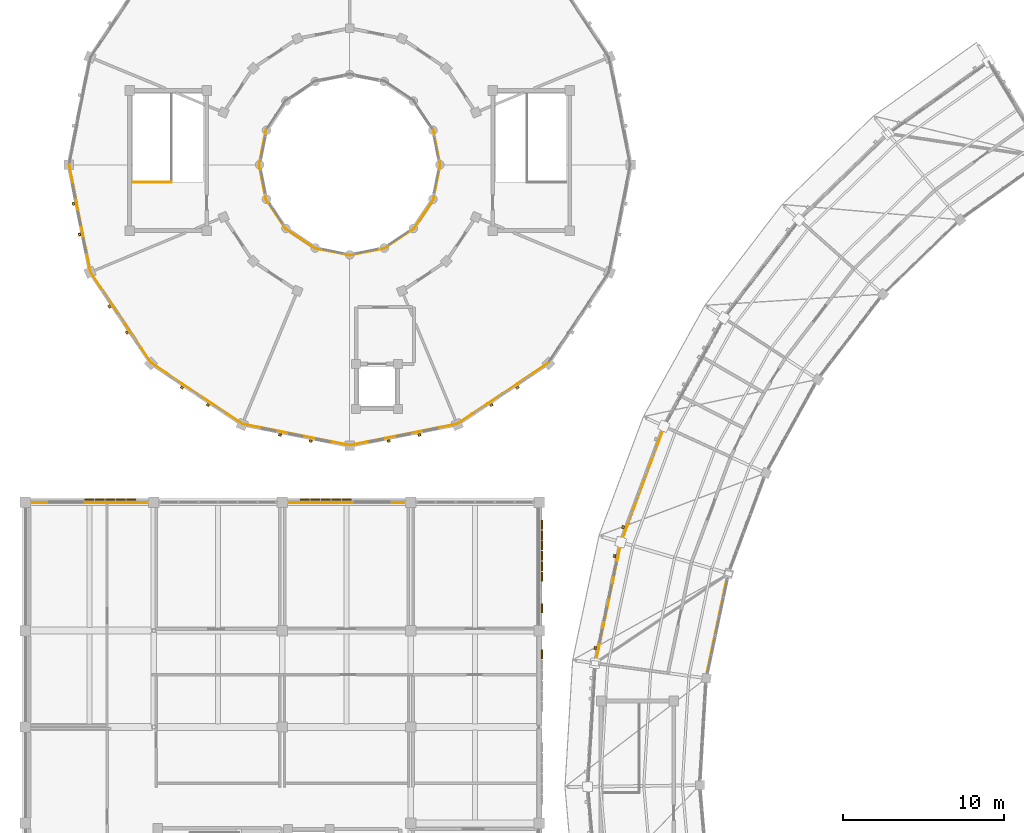
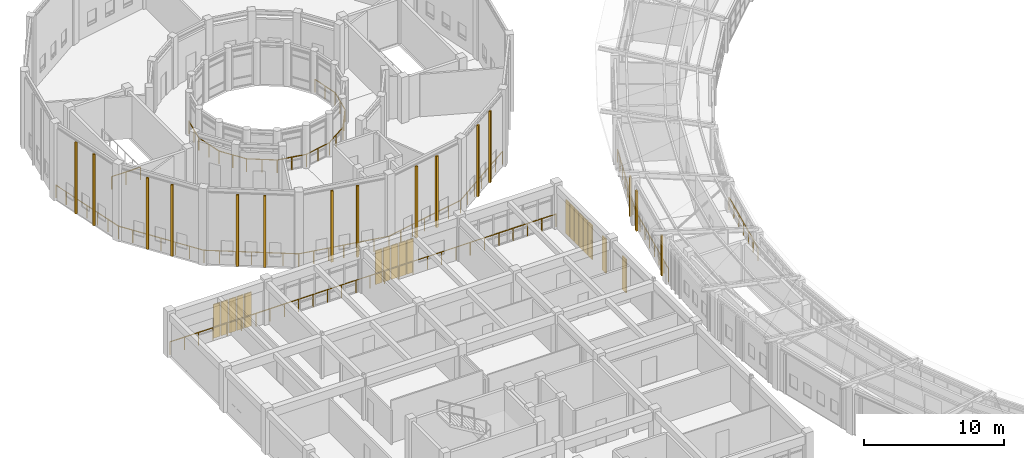
# One storey, part 142 of 149: 21 railings, 18 shading devices, 15 coverings.
"""IFC4 building model written with IfcOpenShell, lengths in metres."""

import ifcopenshell
import ifcopenshell.guid

model = None  # the IFC model being written
_history = None  # IfcOwnerHistory: only IFC2X3 demands one
_inside = {}  # id of a spatial element -> (the spatial element, [elements in it])
_under = {}  # id of a project, library or spatial element -> (it, [spatial elements below it])
_declared = {}  # id of a project -> (the project, [libraries it declares])
_typed = {}  # id of a type object -> (the type object, [elements of that type])
_made_of = {}  # id of a material, layer set ... -> (it, [elements and type objects made of it])


def new_model(schema):
    """Start an empty IFC model of exactly this schema.

    Asked for "IFC4X3", IfcOpenShell would pick the latest addendum, in which some entities
    have other attributes; the version numbers below select the first issue.
    IFC2X3 requires an IfcOwnerHistory on every rooted entity: one is made here for all.
    """
    global model, _history
    if schema == "IFC4X3":
        model = ifcopenshell.file(schema_version=(4, 3, 0, 0))
    else:
        model = ifcopenshell.file(schema=schema)
    _inside.clear()
    _under.clear()
    _declared.clear()
    _typed.clear()
    _made_of.clear()
    _history = None
    if model.schema == "IFC2X3":
        org = make("IfcOrganization", Name="unknown")
        user = make(
            "IfcPersonAndOrganization",
            ThePerson=make("IfcPerson", FamilyName="unknown"),
            TheOrganization=org,
        )
        app = make(
            "IfcApplication",
            ApplicationDeveloper=org,
            Version="unknown",
            ApplicationFullName="unknown",
            ApplicationIdentifier="unknown",
        )
        _history = make(
            "IfcOwnerHistory",
            OwningUser=user,
            OwningApplication=app,
            ChangeAction="ADDED",
            CreationDate=0,
        )
    return model


def make(cls, **values):
    """One entity of the class cls with the attributes given. An attribute that is None is left unset."""
    return model.create_entity(
        cls, **{name: value for name, value in values.items() if value is not None}
    )


def rooted(cls, **values):
    """An entity with a GlobalId (a new one), such as an element, a storey or a relation."""
    return make(cls, GlobalId=ifcopenshell.guid.new(), OwnerHistory=_history, **values)


def si_unit(unit_type, name, prefix=None):
    """IfcSIUnit, for example si_unit("LENGTHUNIT", "METRE", prefix="MILLI")."""
    return make("IfcSIUnit", UnitType=unit_type, Prefix=prefix, Name=name)


def assignment(units):
    """IfcUnitAssignment: the units of a project."""
    return None if units is None else make("IfcUnitAssignment", Units=units)


def point(xyz):
    """IfcCartesianPoint."""
    return None if xyz is None else make("IfcCartesianPoint", Coordinates=xyz)


def direction(xyz):
    """IfcDirection."""
    return None if xyz is None else make("IfcDirection", DirectionRatios=xyz)


def frame(location, z_axis=None, x_axis=None):
    """IfcAxis2Placement3D, a coordinate frame: its origin and axes. An axis left out is left unset."""
    return make(
        "IfcAxis2Placement3D",
        Location=point(location),
        Axis=direction(z_axis),
        RefDirection=direction(x_axis),
    )


def frame_2d(location, x_axis=None):
    """IfcAxis2Placement2D, a coordinate frame in the plane: its origin and x axis."""
    return make(
        "IfcAxis2Placement2D", Location=point(location), RefDirection=direction(x_axis)
    )


def origin():
    """The frame at (0, 0, 0) with its axes left unset."""
    return frame((0.0, 0.0, 0.0))


def origin_2d():
    """The frame at (0, 0) in the plane with its x axis left unset."""
    return frame_2d((0.0, 0.0))


def place(relative_to, where):
    """IfcLocalPlacement: puts the frame where relative to a parent placement (None: the world)."""
    return make(
        "IfcLocalPlacement", PlacementRelTo=relative_to, RelativePlacement=where
    )


def context(
    kind, dimensions, precision=None, world=None, true_north=None, identifier=None
):
    """IfcGeometricRepresentationContext, for example the 3D "Model" context."""
    return make(
        "IfcGeometricRepresentationContext",
        ContextIdentifier=identifier,
        ContextType=kind,
        CoordinateSpaceDimension=dimensions,
        Precision=precision,
        WorldCoordinateSystem=world,
        TrueNorth=true_north,
    )


def subcontext(parent, identifier, kind, view, scale=None):
    """IfcGeometricRepresentationSubContext, for example "Body" below "Model"."""
    return make(
        "IfcGeometricRepresentationSubContext",
        ContextIdentifier=identifier,
        ContextType=kind,
        ParentContext=parent,
        TargetScale=scale,
        TargetView=view,
    )


def project(units=None, contexts=None):
    """IfcProject with its units and contexts."""
    return rooted(
        "IfcProject",
        Name="project",
        RepresentationContexts=contexts,
        UnitsInContext=assignment(units),
    )


def spatial(cls, under=None, at=None, **own):
    """A site, building, storey or space (cls), placed at a placement, below another one or the project."""
    s = rooted(cls, ObjectPlacement=at, **own)
    if under is not None:
        _under.setdefault(under.id(), (under, []))[1].append(s)
    return s


def profile(cls, at=None, kind="AREA", **sizes):
    """A parametric profile (cls). Its sizes go by their IFC names, for example OverallWidth=200.0."""
    return make(cls, ProfileType=kind, Position=at, **sizes)


def rectangle(**sizes):
    """IfcRectangleProfileDef."""
    return profile("IfcRectangleProfileDef", **sizes)


def circle(**sizes):
    """IfcCircleProfileDef."""
    return profile("IfcCircleProfileDef", **sizes)


def extrude(swept, where, along, depth):
    """IfcExtrudedAreaSolid: the profile swept, set in the frame where, extruded along a direction by depth."""
    return make(
        "IfcExtrudedAreaSolid",
        SweptArea=swept,
        Position=where,
        ExtrudedDirection=direction(along),
        Depth=depth,
    )


def shape(context_of_items, identifier, shape_type, items):
    """IfcShapeRepresentation: the items that make up one representation, for example the "Body"."""
    return make(
        "IfcShapeRepresentation",
        ContextOfItems=context_of_items,
        RepresentationIdentifier=identifier,
        RepresentationType=shape_type,
        Items=items,
    )


def material(Name=None, Category=None):
    """IfcMaterial."""
    return make("IfcMaterial", Name=Name, Category=Category)


def layer(
    of_material, thickness, ventilated=None, Name=None, Category=None, Priority=None
):
    """IfcMaterialLayer: one layer of a wall or slab, of a material (None: an air gap)."""
    return make(
        "IfcMaterialLayer",
        Material=of_material,
        LayerThickness=thickness,
        IsVentilated=ventilated,
        Name=Name,
        Category=Category,
        Priority=Priority,
    )


def layer_set(layers, Name=None):
    """IfcMaterialLayerSet."""
    return make("IfcMaterialLayerSet", MaterialLayers=layers, LayerSetName=Name)


def made_of(thing, what):
    """Note that an element or type object is made of a material, layer set ...; save() writes the relation."""
    if what is not None:
        _made_of.setdefault(what.id(), (what, []))[1].append(thing)
    return thing


def type_object(cls, material=None, **own):
    """A type object (cls), such as IfcWallType, which elements share."""
    return made_of(rooted(cls, **own), material)


def element(
    cls,
    number,
    at=None,
    inside=None,
    cuts=None,
    type_object=None,
    material=None,
    context=None,
    identifier="Body",
    shape_type=None,
    held_by="IfcProductDefinitionShape",
    body=None,
    shapes=None,
    **own,
):
    """One element of the class cls, such as IfcWall. Its Tag is "e" and its number.

    at: its placement. inside: the storey or other place that contains it. cuts: it is an
    opening in that element (IfcRelVoidsElement). A single representation is given by context,
    identifier, shape_type and body (its items); several are given by shapes. held_by: the class
    of the entity that holds the representations. save() writes the other relations.
    """
    e = rooted(cls, Tag="e%d" % number, ObjectPlacement=at, **own)
    if body is not None:
        shapes = [shape(context, identifier, shape_type, body)]
    if shapes is not None:
        e.Representation = make(held_by, Representations=shapes)
    if inside is not None:
        _inside.setdefault(inside.id(), (inside, []))[1].append(e)
    if cuts is not None:
        rooted(
            "IfcRelVoidsElement", RelatingBuildingElement=cuts, RelatedOpeningElement=e
        )
    if type_object is not None:
        _typed.setdefault(type_object.id(), (type_object, []))[1].append(e)
    return made_of(e, material)


def aggregate(whole, parts):
    """IfcRelAggregates: a whole, such as a stair, and the parts it consists of."""
    return rooted("IfcRelAggregates", RelatingObject=whole, RelatedObjects=parts)


def save(model, path):
    """Write the relations noted so far, then the file.

    IfcRelAggregates (storeys below a building ...), IfcRelContainedInSpatialStructure (elements
    in a storey), IfcRelDefinesByType, IfcRelAssociatesMaterial and IfcRelDeclares: one each for
    every whole, place, type object, material and project.
    """
    for whole, parts in _under.values():
        aggregate(whole, parts)
    for where, things in _inside.values():
        rooted(
            "IfcRelContainedInSpatialStructure",
            RelatedElements=things,
            RelatingStructure=where,
        )
    for kind, things in _typed.values():
        rooted("IfcRelDefinesByType", RelatedObjects=things, RelatingType=kind)
    for what, things in _made_of.values():
        rooted("IfcRelAssociatesMaterial", RelatedObjects=things, RelatingMaterial=what)
    for by, libraries in _declared.values():
        rooted("IfcRelDeclares", RelatingContext=by, RelatedDefinitions=libraries)
    model.write(path)


model = new_model("IFC4")

# Units and contexts
model_context = context("Model", 3, precision=1e-05, world=origin(), true_north=direction((0.0, 1.0)))
body_context = subcontext(model_context, "Body", "Model", "MODEL_VIEW")
ifc_project = project(units=[si_unit("LENGTHUNIT", "METRE"), si_unit("AREAUNIT", "SQUARE_METRE"), si_unit("VOLUMEUNIT", "CUBIC_METRE"), si_unit("PLANEANGLEUNIT", "RADIAN"), si_unit("MASSUNIT", "GRAM", prefix="KILO")], contexts=[model_context])

# Site, building, storey
site_placement = place(None, origin())
site = spatial("IfcSite", under=ifc_project, at=site_placement, CompositionType="ELEMENT")
building_placement = place(site_placement, origin())
building = spatial("IfcBuilding", under=site, at=building_placement, Name="Celadon Cloister-Ring School", CompositionType="ELEMENT")
storey_placement = place(building_placement, frame((0.0, 0.0, 12.5)))
storey = spatial("IfcBuildingStorey", under=building, at=storey_placement, Name="L03", CompositionType="ELEMENT", Elevation=12.5)

# Coverings
ifc_material_1 = material(Name="Perforated terracotta clay brick masonry", Category="masonry")
ifc_layer = layer(ifc_material_1, 0.139892578125)
ifc_layer_set = layer_set([ifc_layer], Name="Perforated terracotta clay brick masonry")
covering_type = type_object("IfcCoveringType", Name="CV-SC1", PredefinedType="CLADDING", material=ifc_layer_set)
for number, where, z_axis, x_axis, name in (
    (1, (37.222900390625, 74.43798828125, -0.00048828125), (0.0, 0.0, 1.0), (0.349209954135, 0.937044506912, 0.0), "Brick Screen Rib 0345"),
    (2, (35.488037109375, 66.9150390625, -0.00048828125), (0.0, 0.0, 1.0), (0.207262913083, 0.978285277851, 0.0), "Brick Screen Rib 0347"),
    (3, (36.699951171875, 72.637939453125, -0.00048828125), (0.0, 0.0, 1.0), (0.207262913083, 0.978285277851, 0.0), "Brick Screen Rib 0348"),
):
    element("IfcCovering", number, at=place(storey_placement, frame(where, z_axis=z_axis, x_axis=x_axis)), inside=storey, type_object=covering_type, Name=name, PredefinedType="CLADDING", context=body_context, shape_type="SweptSolid", body=[
        extrude(rectangle(XDim=0.179931640625, YDim=0.139892578125, at=origin_2d()), origin(), (0.0, 0.0, 1.0), 3.51708984375),
    ])
for number, where, z_axis, x_axis, name in (
    (4, (3.383056640625, 92.660888671875, 0.0), (0.0, 0.0, 1.0), (-0.195141675546, 0.980775064153, 0.0), "Brick Screen Rib 0552"),
    (5, (3.001953125, 94.572998046875, 0.0), (0.0, 0.0, 1.0), (-0.195141675546, 0.980775064153, 0.0), "Brick Screen Rib 0553"),
    (6, (6.323974609375, 86.555908203125, 0.0), (0.0, 0.0, 1.0), (-0.55567181205, 0.831401730389, 0.0), "Brick Screen Rib 0554"),
    (7, (5.239990234375, 88.177001953125, 0.0), (0.0, 0.0, 1.0), (-0.55567181205, 0.831401730389, 0.0), "Brick Screen Rib 0555"),
    (8, (11.376953125, 82.0400390625, 0.0), (0.0, 0.0, 1.0), (-0.831401730389, 0.55567181205, 0.0), "Brick Screen Rib 0556"),
    (9, (9.756103515625, 83.1240234375, 0.0), (0.0, 0.0, 1.0), (-0.831401730389, 0.55567181205, 0.0), "Brick Screen Rib 0557"),
    (10, (17.77294921875, 79.802001953125, 0.0), (0.0, 0.0, 1.0), (-0.980775064153, 0.195141675546, 0.0), "Brick Screen Rib 0558"),
    (11, (15.861083984375, 80.18310546875, 0.0), (0.0, 0.0, 1.0), (-0.980775064153, 0.195141675546, 0.0), "Brick Screen Rib 0559"),
    (12, (24.5390625, 80.18310546875, 0.0), (0.0, 0.0, 1.0), (-0.980775064153, -0.195141675546, 0.0), "Brick Screen Rib 0560"),
    (13, (22.626953125, 79.802001953125, 0.0), (0.0, 0.0, 1.0), (-0.980775064153, -0.195141675546, 0.0), "Brick Screen Rib 0561"),
    (14, (30.64404296875, 83.1240234375, 0.0), (0.0, 0.0, 1.0), (-0.831401730389, -0.55567181205, 0.0), "Brick Screen Rib 0562"),
    (15, (29.02294921875, 82.0400390625, 0.0), (0.0, 0.0, 1.0), (-0.831401730389, -0.55567181205, 0.0), "Brick Screen Rib 0563"),
):
    element("IfcCovering", number, at=place(storey_placement, frame(where, z_axis=z_axis, x_axis=x_axis)), inside=storey, type_object=covering_type, Name=name, PredefinedType="CLADDING", context=body_context, shape_type="SweptSolid", body=[
        extrude(rectangle(XDim=0.179931640625, YDim=0.139892578125, at=origin_2d()), origin(), (0.0, 0.0, 1.0), 6.22998046875),
    ])

# Railings
ifc_material_2 = material(Name="Structural steel S355JR", Category="steel")
railing_type_1 = type_object("IfcRailingType", Name="RL-BL1", PredefinedType="BALUSTRADE", material=ifc_material_2)
railing_1_placement = place(storey_placement, frame((39.7919921875, 80.708984375, 0.0)))
element("IfcRailing", 16, at=railing_1_placement, inside=storey, type_object=railing_type_1, Name="Terrace Balustrade 0149", PredefinedType="BALUSTRADE", context=body_context, shape_type="SweptSolid", body=[
    extrude(circle(Radius=0.02392578125, at=origin_2d()), frame((0.0, 0.0, 1.09619140625), z_axis=(-0.349315433681, -0.93700519091, 0.0), x_axis=(0.93700519091, -0.349315433681, 0.0)), (0.0, 0.0, 1.0), 7.69775390625),
    extrude(circle(Radius=0.02099609375, at=origin_2d()), origin(), (0.0, 0.0, 1.0), 1.072021484375),
    extrude(circle(Radius=0.02099609375, at=origin_2d()), frame((-0.384033203125, -1.030517578125, 0.0)), (0.0, 0.0, 1.0), 1.072021484375),
    extrude(circle(Radius=0.02099609375, at=origin_2d()), frame((-0.768310546875, -2.060791015625, 0.0)), (0.0, 0.0, 1.0), 1.072021484375),
    extrude(circle(Radius=0.02099609375, at=origin_2d()), frame((-1.15234375, -3.09130859375, 0.0)), (0.0, 0.0, 1.0), 1.072021484375),
    extrude(circle(Radius=0.02099609375, at=origin_2d()), frame((-1.53662109375, -4.12158203125, 0.0)), (0.0, 0.0, 1.0), 1.072021484375),
    extrude(circle(Radius=0.02099609375, at=origin_2d()), frame((-1.920654296875, -5.152099609375, 0.0)), (0.0, 0.0, 1.0), 1.072021484375),
    extrude(circle(Radius=0.02099609375, at=origin_2d()), frame((-2.304931640625, -6.182373046875, 0.0)), (0.0, 0.0, 1.0), 1.072021484375),
    extrude(circle(Radius=0.02099609375, at=origin_2d()), frame((-2.68896484375, -7.212890625, 0.0)), (0.0, 0.0, 1.0), 1.072021484375),
])
railing_2_placement = place(storey_placement, frame((37.10302734375, 73.49609375, 0.0)))
element("IfcRailing", 17, at=railing_2_placement, inside=storey, type_object=railing_type_1, Name="Terrace Balustrade 0150", PredefinedType="BALUSTRADE", context=body_context, shape_type="SweptSolid", body=[
    extrude(circle(Radius=0.02392578125, at=origin_2d()), frame((0.0, 0.0, 1.09619140625), z_axis=(-0.207095796357, -0.978320668866, 0.0), x_axis=(0.978320668866, -0.207095796357, 0.0)), (0.0, 0.0, 1.0), 7.69677734375),
    extrude(circle(Radius=0.02099609375, at=origin_2d()), origin(), (0.0, 0.0, 1.0), 1.072021484375),
    extrude(circle(Radius=0.02099609375, at=origin_2d()), frame((-0.227783203125, -1.07568359375, 0.0)), (0.0, 0.0, 1.0), 1.072021484375),
    extrude(circle(Radius=0.02099609375, at=origin_2d()), frame((-0.455322265625, -2.1513671875, 0.0)), (0.0, 0.0, 1.0), 1.072021484375),
    extrude(circle(Radius=0.02099609375, at=origin_2d()), frame((-0.68310546875, -3.22705078125, 0.0)), (0.0, 0.0, 1.0), 1.072021484375),
    extrude(circle(Radius=0.02099609375, at=origin_2d()), frame((-0.910888671875, -4.302978515625, 0.0)), (0.0, 0.0, 1.0), 1.072021484375),
    extrude(circle(Radius=0.02099609375, at=origin_2d()), frame((-1.138671875, -5.378662109375, 0.0)), (0.0, 0.0, 1.0), 1.072021484375),
    extrude(circle(Radius=0.02099609375, at=origin_2d()), frame((-1.3662109375, -6.454345703125, 0.0)), (0.0, 0.0, 1.0), 1.072021484375),
    extrude(circle(Radius=0.02099609375, at=origin_2d()), frame((-1.593994140625, -7.530029296875, 0.0)), (0.0, 0.0, 1.0), 1.072021484375),
])
railing_3_placement = place(storey_placement, frame((43.748046875, 71.56591796875, 0.0)))
element("IfcRailing", 18, at=railing_3_placement, inside=storey, type_object=railing_type_1, Name="Terrace Balustrade 0185", PredefinedType="BALUSTRADE", context=body_context, shape_type="SweptSolid", body=[
    extrude(circle(Radius=0.02392578125, at=origin_2d()), frame((0.0, 0.0, 1.09619140625), z_axis=(-0.206989572624, -0.978343148811, 0.0), x_axis=(0.978343148811, -0.206989572624, 0.0)), (0.0, 0.0, 1.0), 6.67236328125),
    extrude(circle(Radius=0.02099609375, at=origin_2d()), origin(), (0.0, 0.0, 1.0), 1.072021484375),
    extrude(circle(Radius=0.02099609375, at=origin_2d()), frame((-0.230224609375, -1.087890625, 0.0)), (0.0, 0.0, 1.0), 1.072021484375),
    extrude(circle(Radius=0.02099609375, at=origin_2d()), frame((-0.46044921875, -2.176025390625, 0.0)), (0.0, 0.0, 1.0), 1.072021484375),
    extrude(circle(Radius=0.02099609375, at=origin_2d()), frame((-0.6904296875, -3.263916015625, 0.0)), (0.0, 0.0, 1.0), 1.072021484375),
    extrude(circle(Radius=0.02099609375, at=origin_2d()), frame((-0.920654296875, -4.351806640625, 0.0)), (0.0, 0.0, 1.0), 1.072021484375),
    extrude(circle(Radius=0.02099609375, at=origin_2d()), frame((-1.15087890625, -5.43994140625, 0.0)), (0.0, 0.0, 1.0), 1.072021484375),
    extrude(circle(Radius=0.02099609375, at=origin_2d()), frame((-1.381103515625, -6.52783203125, 0.0)), (0.0, 0.0, 1.0), 1.072021484375),
])
railing_4_placement = place(storey_placement, frame((2.739990234375, 97.0, 0.0)))
element("IfcRailing", 19, at=railing_4_placement, inside=storey, type_object=railing_type_1, Name="Terrace Balustrade 0289", PredefinedType="BALUSTRADE", context=body_context, shape_type="SweptSolid", body=[
    extrude(circle(Radius=0.02392578125, at=origin_2d()), frame((0.0, 0.0, 1.09619140625), z_axis=(0.19508919883, -0.980785503818, 0.0), x_axis=(0.980785503818, 0.19508919883, 0.0)), (0.0, 0.0, 1.0), 6.812744140625),
    extrude(circle(Radius=0.02099609375, at=origin_2d()), origin(), (0.0, 0.0, 1.0), 1.072021484375),
    extrude(circle(Radius=0.02099609375, at=origin_2d()), frame((0.221435546875, -1.11376953125, 0.0)), (0.0, 0.0, 1.0), 1.072021484375),
    extrude(circle(Radius=0.02099609375, at=origin_2d()), frame((0.443115234375, -2.227294921875, 0.0)), (0.0, 0.0, 1.0), 1.072021484375),
    extrude(circle(Radius=0.02099609375, at=origin_2d()), frame((0.66455078125, -3.3408203125, 0.0)), (0.0, 0.0, 1.0), 1.072021484375),
    extrude(circle(Radius=0.02099609375, at=origin_2d()), frame((0.885986328125, -4.45458984375, 0.0)), (0.0, 0.0, 1.0), 1.072021484375),
    extrude(circle(Radius=0.02099609375, at=origin_2d()), frame((1.107666015625, -5.568359375, 0.0)), (0.0, 0.0, 1.0), 1.072021484375),
    extrude(circle(Radius=0.02099609375, at=origin_2d()), frame((1.3291015625, -6.681884765625, 0.0)), (0.0, 0.0, 1.0), 1.072021484375),
])
railing_5_placement = place(storey_placement, frame((4.069091796875, 90.318115234375, 0.0)))
element("IfcRailing", 20, at=railing_5_placement, inside=storey, type_object=railing_type_1, Name="Terrace Balustrade 0290", PredefinedType="BALUSTRADE", context=body_context, shape_type="SweptSolid", body=[
    extrude(circle(Radius=0.02392578125, at=origin_2d()), frame((0.0, 0.0, 1.09619140625), z_axis=(0.555601342036, -0.831448825081, 0.0), x_axis=(0.831448825081, 0.555601342036, 0.0)), (0.0, 0.0, 1.0), 6.812255859375),
    extrude(circle(Radius=0.02099609375, at=origin_2d()), origin(), (0.0, 0.0, 1.0), 1.072021484375),
    extrude(circle(Radius=0.02099609375, at=origin_2d()), frame((0.630859375, -0.944091796875, 0.0)), (0.0, 0.0, 1.0), 1.072021484375),
    extrude(circle(Radius=0.02099609375, at=origin_2d()), frame((1.26171875, -1.887939453125, 0.0)), (0.0, 0.0, 1.0), 1.072021484375),
    extrude(circle(Radius=0.02099609375, at=origin_2d()), frame((1.892578125, -2.83203125, 0.0)), (0.0, 0.0, 1.0), 1.072021484375),
    extrude(circle(Radius=0.02099609375, at=origin_2d()), frame((2.523193359375, -3.776123046875, 0.0)), (0.0, 0.0, 1.0), 1.072021484375),
    extrude(circle(Radius=0.02099609375, at=origin_2d()), frame((3.154052734375, -4.719970703125, 0.0)), (0.0, 0.0, 1.0), 1.072021484375),
    extrude(circle(Radius=0.02099609375, at=origin_2d()), frame((3.784912109375, -5.6640625, 0.0)), (0.0, 0.0, 1.0), 1.072021484375),
])
railing_6_placement = place(storey_placement, frame((7.85400390625, 84.654052734375, 0.0)))
element("IfcRailing", 21, at=railing_6_placement, inside=storey, type_object=railing_type_1, Name="Terrace Balustrade 0291", PredefinedType="BALUSTRADE", context=body_context, shape_type="SweptSolid", body=[
    extrude(circle(Radius=0.02392578125, at=origin_2d()), frame((0.0, 0.0, 1.09619140625), z_axis=(0.831432269387, -0.555626116577, 0.0), x_axis=(0.555626116577, 0.831432269387, 0.0)), (0.0, 0.0, 1.0), 6.8125),
    extrude(circle(Radius=0.02099609375, at=origin_2d()), origin(), (0.0, 0.0, 1.0), 1.072021484375),
    extrude(circle(Radius=0.02099609375, at=origin_2d()), frame((0.944091796875, -0.630859375, 0.0)), (0.0, 0.0, 1.0), 1.072021484375),
    extrude(circle(Radius=0.02099609375, at=origin_2d()), frame((1.887939453125, -1.26171875, 0.0)), (0.0, 0.0, 1.0), 1.072021484375),
    extrude(circle(Radius=0.02099609375, at=origin_2d()), frame((2.83203125, -1.892578125, 0.0)), (0.0, 0.0, 1.0), 1.072021484375),
    extrude(circle(Radius=0.02099609375, at=origin_2d()), frame((3.776123046875, -2.5234375, 0.0)), (0.0, 0.0, 1.0), 1.072021484375),
    extrude(circle(Radius=0.02099609375, at=origin_2d()), frame((4.719970703125, -3.154296875, 0.0)), (0.0, 0.0, 1.0), 1.072021484375),
    extrude(circle(Radius=0.02099609375, at=origin_2d()), frame((5.6640625, -3.78515625, 0.0)), (0.0, 0.0, 1.0), 1.072021484375),
])
railing_7_placement = place(storey_placement, frame((13.51806640625, 80.868896484375, 0.0)))
element("IfcRailing", 22, at=railing_7_placement, inside=storey, type_object=railing_type_1, Name="Terrace Balustrade 0292", PredefinedType="BALUSTRADE", context=body_context, shape_type="SweptSolid", body=[
    extrude(circle(Radius=0.02392578125, at=origin_2d()), frame((0.0, 0.0, 1.09619140625), z_axis=(0.980792360074, -0.19505472673, 0.0), x_axis=(0.19505472673, 0.980792360074, 0.0)), (0.0, 0.0, 1.0), 6.812744140625),
    extrude(circle(Radius=0.02099609375, at=origin_2d()), origin(), (0.0, 0.0, 1.0), 1.072021484375),
    extrude(circle(Radius=0.02099609375, at=origin_2d()), frame((1.11376953125, -0.221435546875, 0.0)), (0.0, 0.0, 1.0), 1.072021484375),
    extrude(circle(Radius=0.02099609375, at=origin_2d()), frame((2.227294921875, -0.44287109375, 0.0)), (0.0, 0.0, 1.0), 1.072021484375),
    extrude(circle(Radius=0.02099609375, at=origin_2d()), frame((3.3408203125, -0.66455078125, 0.0)), (0.0, 0.0, 1.0), 1.072021484375),
    extrude(circle(Radius=0.02099609375, at=origin_2d()), frame((4.45458984375, -0.885986328125, 0.0)), (0.0, 0.0, 1.0), 1.072021484375),
    extrude(circle(Radius=0.02099609375, at=origin_2d()), frame((5.568359375, -1.107421875, 0.0)), (0.0, 0.0, 1.0), 1.072021484375),
    extrude(circle(Radius=0.02099609375, at=origin_2d()), frame((6.681884765625, -1.328857421875, 0.0)), (0.0, 0.0, 1.0), 1.072021484375),
])
railing_8_placement = place(storey_placement, frame((20.199951171875, 79.5400390625, 0.0)))
element("IfcRailing", 23, at=railing_8_placement, inside=storey, type_object=railing_type_1, Name="Terrace Balustrade 0293", PredefinedType="BALUSTRADE", context=body_context, shape_type="SweptSolid", body=[
    extrude(circle(Radius=0.02392578125, at=origin_2d()), frame((0.0, 0.0, 1.09619140625), z_axis=(0.980793723427, 0.195047871268, 0.0), x_axis=(-0.195047871268, 0.980793723427, 0.0)), (0.0, 0.0, 1.0), 6.81298828125),
    extrude(circle(Radius=0.02099609375, at=origin_2d()), origin(), (0.0, 0.0, 1.0), 1.072021484375),
    extrude(circle(Radius=0.02099609375, at=origin_2d()), frame((1.11376953125, 0.221435546875, 0.0)), (0.0, 0.0, 1.0), 1.072021484375),
    extrude(circle(Radius=0.02099609375, at=origin_2d()), frame((2.227294921875, 0.44287109375, 0.0)), (0.0, 0.0, 1.0), 1.072021484375),
    extrude(circle(Radius=0.02099609375, at=origin_2d()), frame((3.341064453125, 0.66455078125, 0.0)), (0.0, 0.0, 1.0), 1.072021484375),
    extrude(circle(Radius=0.02099609375, at=origin_2d()), frame((4.454833984375, 0.885986328125, 0.0)), (0.0, 0.0, 1.0), 1.072021484375),
    extrude(circle(Radius=0.02099609375, at=origin_2d()), frame((5.568359375, 1.107421875, 0.0)), (0.0, 0.0, 1.0), 1.072021484375),
    extrude(circle(Radius=0.02099609375, at=origin_2d()), frame((6.68212890625, 1.328857421875, 0.0)), (0.0, 0.0, 1.0), 1.072021484375),
])
railing_9_placement = place(storey_placement, frame((26.882080078125, 80.868896484375, 0.0)))
element("IfcRailing", 24, at=railing_9_placement, inside=storey, type_object=railing_type_1, Name="Terrace Balustrade 0294", PredefinedType="BALUSTRADE", context=body_context, shape_type="SweptSolid", body=[
    extrude(circle(Radius=0.02392578125, at=origin_2d()), frame((0.0, 0.0, 1.09619140625), z_axis=(0.831421205096, 0.555642672693, 0.0), x_axis=(-0.555642672693, 0.831421205096, 0.0)), (0.0, 0.0, 1.0), 6.812255859375),
    extrude(circle(Radius=0.02099609375, at=origin_2d()), origin(), (0.0, 0.0, 1.0), 1.072021484375),
    extrude(circle(Radius=0.02099609375, at=origin_2d()), frame((0.94384765625, 0.630859375, 0.0)), (0.0, 0.0, 1.0), 1.072021484375),
    extrude(circle(Radius=0.02099609375, at=origin_2d()), frame((1.887939453125, 1.26171875, 0.0)), (0.0, 0.0, 1.0), 1.072021484375),
    extrude(circle(Radius=0.02099609375, at=origin_2d()), frame((2.83203125, 1.892578125, 0.0)), (0.0, 0.0, 1.0), 1.072021484375),
    extrude(circle(Radius=0.02099609375, at=origin_2d()), frame((3.77587890625, 2.5234375, 0.0)), (0.0, 0.0, 1.0), 1.072021484375),
    extrude(circle(Radius=0.02099609375, at=origin_2d()), frame((4.7197265625, 3.154296875, 0.0)), (0.0, 0.0, 1.0), 1.072021484375),
    extrude(circle(Radius=0.02099609375, at=origin_2d()), frame((5.663818359375, 3.78515625, 0.0)), (0.0, 0.0, 1.0), 1.072021484375),
])
railing_10_placement = place(storey_placement, frame((25.840087890625, 97.0, 0.0)))
element("IfcRailing", 25, at=railing_10_placement, inside=storey, type_object=railing_type_1, Name="Terrace Balustrade 0297", PredefinedType="BALUSTRADE", context=body_context, shape_type="SweptSolid", body=[
    extrude(circle(Radius=0.02392578125, at=origin_2d()), frame((0.0, 0.0, 1.09619140625), z_axis=(-0.19507042432, 0.980789238091, 0.0), x_axis=(-0.980789238091, -0.19507042432, 0.0)), (0.0, 0.0, 1.0), 2.2001953125),
    extrude(circle(Radius=0.02099609375, at=origin_2d()), origin(), (0.0, 0.0, 1.0), 1.072021484375),
    extrude(circle(Radius=0.02099609375, at=origin_2d()), frame((-0.214599609375, 1.0791015625, 0.0)), (0.0, 0.0, 1.0), 1.072021484375),
    extrude(circle(Radius=0.02099609375, at=origin_2d()), frame((-0.42919921875, 2.157958984375, 0.0)), (0.0, 0.0, 1.0), 1.072021484375),
])
railing_11_placement = place(storey_placement, frame((14.989013671875, 99.157958984375, 0.0)))
element("IfcRailing", 26, at=railing_11_placement, inside=storey, type_object=railing_type_1, Name="Terrace Balustrade 0304", PredefinedType="BALUSTRADE", context=body_context, shape_type="SweptSolid", body=[
    extrude(circle(Radius=0.02392578125, at=origin_2d()), frame((0.0, 0.0, 1.09619140625), z_axis=(-0.194963681655, -0.980810462238, 0.0), x_axis=(0.980810462238, -0.194963681655, 0.0)), (0.0, 0.0, 1.0), 2.2001953125),
    extrude(circle(Radius=0.02099609375, at=origin_2d()), origin(), (0.0, 0.0, 1.0), 1.072021484375),
    extrude(circle(Radius=0.02099609375, at=origin_2d()), frame((-0.21435546875, -1.0791015625, 0.0)), (0.0, 0.0, 1.0), 1.072021484375),
    extrude(circle(Radius=0.02099609375, at=origin_2d()), frame((-0.428955078125, -2.157958984375, 0.0)), (0.0, 0.0, 1.0), 1.072021484375),
])
railing_12_placement = place(storey_placement, frame((14.56005859375, 97.0, 0.0)))
element("IfcRailing", 27, at=railing_12_placement, inside=storey, type_object=railing_type_1, Name="Terrace Balustrade 0305", PredefinedType="BALUSTRADE", context=body_context, shape_type="SweptSolid", body=[
    extrude(circle(Radius=0.02392578125, at=origin_2d()), frame((0.0, 0.0, 1.09619140625), z_axis=(0.194963681655, -0.980810462238, 0.0), x_axis=(0.980810462238, 0.194963681655, 0.0)), (0.0, 0.0, 1.0), 2.2001953125),
    extrude(circle(Radius=0.02099609375, at=origin_2d()), origin(), (0.0, 0.0, 1.0), 1.072021484375),
    extrude(circle(Radius=0.02099609375, at=origin_2d()), frame((0.21435546875, -1.0791015625, 0.0)), (0.0, 0.0, 1.0), 1.072021484375),
    extrude(circle(Radius=0.02099609375, at=origin_2d()), frame((0.428955078125, -2.157958984375, 0.0)), (0.0, 0.0, 1.0), 1.072021484375),
])
railing_13_placement = place(storey_placement, frame((14.989013671875, 94.842041015625, 0.0)))
element("IfcRailing", 28, at=railing_13_placement, inside=storey, type_object=railing_type_1, Name="Terrace Balustrade 0306", PredefinedType="BALUSTRADE", context=body_context, shape_type="SweptSolid", body=[
    extrude(circle(Radius=0.02392578125, at=origin_2d()), frame((0.0, 0.0, 1.09619140625), z_axis=(0.555595762933, -0.831452553193, 0.0), x_axis=(0.831452553193, 0.555595762933, 0.0)), (0.0, 0.0, 1.0), 2.201171875),
    extrude(circle(Radius=0.02099609375, at=origin_2d()), origin(), (0.0, 0.0, 1.0), 1.072021484375),
    extrude(circle(Radius=0.02099609375, at=origin_2d()), frame((0.611328125, -0.9150390625, 0.0)), (0.0, 0.0, 1.0), 1.072021484375),
    extrude(circle(Radius=0.02099609375, at=origin_2d()), frame((1.222900390625, -1.830078125, 0.0)), (0.0, 0.0, 1.0), 1.072021484375),
])
railing_14_placement = place(storey_placement, frame((16.2119140625, 93.011962890625, 0.0)))
element("IfcRailing", 29, at=railing_14_placement, inside=storey, type_object=railing_type_1, Name="Terrace Balustrade 0307", PredefinedType="BALUSTRADE", context=body_context, shape_type="SweptSolid", body=[
    extrude(circle(Radius=0.02392578125, at=origin_2d()), frame((0.0, 0.0, 1.09619140625), z_axis=(0.831452553193, -0.555595762933, 0.0), x_axis=(0.555595762933, 0.831452553193, 0.0)), (0.0, 0.0, 1.0), 2.201171875),
    extrude(circle(Radius=0.02099609375, at=origin_2d()), origin(), (0.0, 0.0, 1.0), 1.072021484375),
    extrude(circle(Radius=0.02099609375, at=origin_2d()), frame((0.9150390625, -0.611328125, 0.0)), (0.0, 0.0, 1.0), 1.072021484375),
    extrude(circle(Radius=0.02099609375, at=origin_2d()), frame((1.830078125, -1.222900390625, 0.0)), (0.0, 0.0, 1.0), 1.072021484375),
])
railing_15_placement = place(storey_placement, frame((18.0419921875, 91.7890625, 0.0)))
element("IfcRailing", 30, at=railing_15_placement, inside=storey, type_object=railing_type_1, Name="Terrace Balustrade 0308", PredefinedType="BALUSTRADE", context=body_context, shape_type="SweptSolid", body=[
    extrude(circle(Radius=0.02392578125, at=origin_2d()), frame((0.0, 0.0, 1.09619140625), z_axis=(0.980810462238, -0.194963681655, 0.0), x_axis=(0.194963681655, 0.980810462238, 0.0)), (0.0, 0.0, 1.0), 2.2001953125),
    extrude(circle(Radius=0.02099609375, at=origin_2d()), origin(), (0.0, 0.0, 1.0), 1.072021484375),
    extrude(circle(Radius=0.02099609375, at=origin_2d()), frame((1.0791015625, -0.21435546875, 0.0)), (0.0, 0.0, 1.0), 1.072021484375),
    extrude(circle(Radius=0.02099609375, at=origin_2d()), frame((2.157958984375, -0.428955078125, 0.0)), (0.0, 0.0, 1.0), 1.072021484375),
])
railing_16_placement = place(storey_placement, frame((20.199951171875, 91.360107421875, 0.0)))
element("IfcRailing", 31, at=railing_16_placement, inside=storey, type_object=railing_type_1, Name="Terrace Balustrade 0309", PredefinedType="BALUSTRADE", context=body_context, shape_type="SweptSolid", body=[
    extrude(circle(Radius=0.02392578125, at=origin_2d()), frame((0.0, 0.0, 1.09619140625), z_axis=(0.980810462238, 0.194963681655, 0.0), x_axis=(-0.194963681655, 0.980810462238, 0.0)), (0.0, 0.0, 1.0), 2.2001953125),
    extrude(circle(Radius=0.02099609375, at=origin_2d()), origin(), (0.0, 0.0, 1.0), 1.072021484375),
    extrude(circle(Radius=0.02099609375, at=origin_2d()), frame((1.0791015625, 0.21435546875, 0.0)), (0.0, 0.0, 1.0), 1.072021484375),
    extrude(circle(Radius=0.02099609375, at=origin_2d()), frame((2.157958984375, 0.428955078125, 0.0)), (0.0, 0.0, 1.0), 1.072021484375),
])
railing_17_placement = place(storey_placement, frame((22.35791015625, 91.7890625, 0.0)))
element("IfcRailing", 32, at=railing_17_placement, inside=storey, type_object=railing_type_1, Name="Terrace Balustrade 0310", PredefinedType="BALUSTRADE", context=body_context, shape_type="SweptSolid", body=[
    extrude(circle(Radius=0.02392578125, at=origin_2d()), frame((0.0, 0.0, 1.09619140625), z_axis=(0.831452553193, 0.555595762933, 0.0), x_axis=(-0.555595762933, 0.831452553193, 0.0)), (0.0, 0.0, 1.0), 2.201171875),
    extrude(circle(Radius=0.02099609375, at=origin_2d()), origin(), (0.0, 0.0, 1.0), 1.072021484375),
    extrude(circle(Radius=0.02099609375, at=origin_2d()), frame((0.9150390625, 0.611328125, 0.0)), (0.0, 0.0, 1.0), 1.072021484375),
    extrude(circle(Radius=0.02099609375, at=origin_2d()), frame((1.830078125, 1.222900390625, 0.0)), (0.0, 0.0, 1.0), 1.072021484375),
])
railing_18_placement = place(storey_placement, frame((24.18798828125, 93.011962890625, 0.0)))
element("IfcRailing", 33, at=railing_18_placement, inside=storey, type_object=railing_type_1, Name="Terrace Balustrade 0311", PredefinedType="BALUSTRADE", context=body_context, shape_type="SweptSolid", body=[
    extrude(circle(Radius=0.02392578125, at=origin_2d()), frame((0.0, 0.0, 1.09619140625), z_axis=(0.555595762933, 0.831452553193, 0.0), x_axis=(-0.831452553193, 0.555595762933, 0.0)), (0.0, 0.0, 1.0), 2.201171875),
    extrude(circle(Radius=0.02099609375, at=origin_2d()), origin(), (0.0, 0.0, 1.0), 1.072021484375),
    extrude(circle(Radius=0.02099609375, at=origin_2d()), frame((0.611328125, 0.9150390625, 0.0)), (0.0, 0.0, 1.0), 1.072021484375),
    extrude(circle(Radius=0.02099609375, at=origin_2d()), frame((1.222900390625, 1.830078125, 0.0)), (0.0, 0.0, 1.0), 1.072021484375),
])
railing_19_placement = place(storey_placement, frame((25.410888671875, 94.842041015625, 0.0)))
element("IfcRailing", 34, at=railing_19_placement, inside=storey, type_object=railing_type_1, Name="Terrace Balustrade 0312", PredefinedType="BALUSTRADE", context=body_context, shape_type="SweptSolid", body=[
    extrude(circle(Radius=0.02392578125, at=origin_2d()), frame((0.0, 0.0, 1.09619140625), z_axis=(0.19507042432, 0.980789238091, 0.0), x_axis=(-0.980789238091, 0.19507042432, 0.0)), (0.0, 0.0, 1.0), 2.2001953125),
    extrude(circle(Radius=0.02099609375, at=origin_2d()), origin(), (0.0, 0.0, 1.0), 1.072021484375),
    extrude(circle(Radius=0.02099609375, at=origin_2d()), frame((0.214599609375, 1.0791015625, 0.0)), (0.0, 0.0, 1.0), 1.072021484375),
    extrude(circle(Radius=0.02099609375, at=origin_2d()), frame((0.42919921875, 2.157958984375, 0.0)), (0.0, 0.0, 1.0), 1.072021484375),
])
railing_20_placement = place(storey_placement, frame((31.9599609375, 75.9599609375, 0.0)))
element("IfcRailing", 35, at=railing_20_placement, inside=storey, type_object=railing_type_1, Name="Terrace Balustrade 0454", PredefinedType="BALUSTRADE", context=body_context, shape_type="SweptSolid", body=[
    extrude(circle(Radius=0.02392578125, at=origin_2d()), frame((0.0, 0.0, 1.09619140625), z_axis=(-1.0, 0.0, 0.0), x_axis=(0.0, -1.0, 0.0)), (0.0, 0.0, 1.0), 31.919921875),
    extrude(circle(Radius=0.02099609375, at=origin_2d()), origin(), (0.0, 0.0, 1.0), 1.072021484375),
    extrude(circle(Radius=0.02099609375, at=origin_2d()), frame((-1.18212890625, 0.0, 0.0)), (0.0, 0.0, 1.0), 1.072021484375),
    extrude(circle(Radius=0.02099609375, at=origin_2d()), frame((-2.364501953125, 0.0, 0.0)), (0.0, 0.0, 1.0), 1.072021484375),
    extrude(circle(Radius=0.02099609375, at=origin_2d()), frame((-3.546630859375, 0.0, 0.0)), (0.0, 0.0, 1.0), 1.072021484375),
    extrude(circle(Radius=0.02099609375, at=origin_2d()), frame((-4.728759765625, 0.0, 0.0)), (0.0, 0.0, 1.0), 1.072021484375),
    extrude(circle(Radius=0.02099609375, at=origin_2d()), frame((-5.9111328125, 0.0, 0.0)), (0.0, 0.0, 1.0), 1.072021484375),
    extrude(circle(Radius=0.02099609375, at=origin_2d()), frame((-7.09326171875, 0.0, 0.0)), (0.0, 0.0, 1.0), 1.072021484375),
    extrude(circle(Radius=0.02099609375, at=origin_2d()), frame((-8.275634765625, 0.0, 0.0)), (0.0, 0.0, 1.0), 1.072021484375),
    extrude(circle(Radius=0.02099609375, at=origin_2d()), frame((-9.457763671875, 0.0, 0.0)), (0.0, 0.0, 1.0), 1.072021484375),
    extrude(circle(Radius=0.02099609375, at=origin_2d()), frame((-10.639892578125, 0.0, 0.0)), (0.0, 0.0, 1.0), 1.072021484375),
    extrude(circle(Radius=0.02099609375, at=origin_2d()), frame((-11.822265625, 0.0, 0.0)), (0.0, 0.0, 1.0), 1.072021484375),
    extrude(circle(Radius=0.02099609375, at=origin_2d()), frame((-13.00439453125, 0.0, 0.0)), (0.0, 0.0, 1.0), 1.072021484375),
    extrude(circle(Radius=0.02099609375, at=origin_2d()), frame((-14.1865234375, 0.0, 0.0)), (0.0, 0.0, 1.0), 1.072021484375),
    extrude(circle(Radius=0.02099609375, at=origin_2d()), frame((-15.368896484375, 0.0, 0.0)), (0.0, 0.0, 1.0), 1.072021484375),
    extrude(circle(Radius=0.02099609375, at=origin_2d()), frame((-16.551025390625, 0.0, 0.0)), (0.0, 0.0, 1.0), 1.072021484375),
    extrude(circle(Radius=0.02099609375, at=origin_2d()), frame((-17.7333984375, 0.0, 0.0)), (0.0, 0.0, 1.0), 1.072021484375),
    extrude(circle(Radius=0.02099609375, at=origin_2d()), frame((-18.91552734375, 0.0, 0.0)), (0.0, 0.0, 1.0), 1.072021484375),
    extrude(circle(Radius=0.02099609375, at=origin_2d()), frame((-20.09765625, 0.0, 0.0)), (0.0, 0.0, 1.0), 1.072021484375),
    extrude(circle(Radius=0.02099609375, at=origin_2d()), frame((-21.280029296875, 0.0, 0.0)), (0.0, 0.0, 1.0), 1.072021484375),
    extrude(circle(Radius=0.02099609375, at=origin_2d()), frame((-22.462158203125, 0.0, 0.0)), (0.0, 0.0, 1.0), 1.072021484375),
    extrude(circle(Radius=0.02099609375, at=origin_2d()), frame((-23.644287109375, 0.0, 0.0)), (0.0, 0.0, 1.0), 1.072021484375),
    extrude(circle(Radius=0.02099609375, at=origin_2d()), frame((-24.82666015625, 0.0, 0.0)), (0.0, 0.0, 1.0), 1.072021484375),
    extrude(circle(Radius=0.02099609375, at=origin_2d()), frame((-26.0087890625, 0.0, 0.0)), (0.0, 0.0, 1.0), 1.072021484375),
    extrude(circle(Radius=0.02099609375, at=origin_2d()), frame((-27.191162109375, 0.0, 0.0)), (0.0, 0.0, 1.0), 1.072021484375),
    extrude(circle(Radius=0.02099609375, at=origin_2d()), frame((-28.373291015625, 0.0, 0.0)), (0.0, 0.0, 1.0), 1.072021484375),
    extrude(circle(Radius=0.02099609375, at=origin_2d()), frame((-29.555419921875, 0.0, 0.0)), (0.0, 0.0, 1.0), 1.072021484375),
    extrude(circle(Radius=0.02099609375, at=origin_2d()), frame((-30.73779296875, 0.0, 0.0)), (0.0, 0.0, 1.0), 1.072021484375),
    extrude(circle(Radius=0.02099609375, at=origin_2d()), frame((-31.919921875, 0.0, 0.0)), (0.0, 0.0, 1.0), 1.072021484375),
])
ifc_material_3 = material(Name="Structural steel S355JR", Category="steel")
railing_type_2 = type_object("IfcRailingType", Name="RL-BL2", PredefinedType="BALUSTRADE", material=ifc_material_3)
railing_21_placement = place(storey_placement, frame((6.739990234375, 95.9150390625, 0.0)))
element("IfcRailing", 36, at=railing_21_placement, inside=storey, type_object=railing_type_2, Name="Interior Guard 0132", PredefinedType="BALUSTRADE", context=body_context, shape_type="SweptSolid", body=[
    extrude(circle(Radius=0.02392578125, at=origin_2d()), frame((0.0, 0.0, 1.09619140625), z_axis=(1.0, 0.0, 0.0), x_axis=(0.0, 1.0, 0.0)), (0.0, 0.0, 1.0), 2.360107421875),
    extrude(circle(Radius=0.02099609375, at=origin_2d()), origin(), (0.0, 0.0, 1.0), 1.072021484375),
    extrude(circle(Radius=0.02099609375, at=origin_2d()), frame((1.18017578125, 0.0, 0.0)), (0.0, 0.0, 1.0), 1.072021484375),
    extrude(circle(Radius=0.02099609375, at=origin_2d()), frame((2.360107421875, 0.0, 0.0)), (0.0, 0.0, 1.0), 1.072021484375),
])

# Shading devices
ifc_material_4 = material(Name="Glazed celadon architectural terracotta", Category="masonry")
shading_device_type = type_object("IfcShadingDeviceType", Name="SD-01", PredefinedType="USERDEFINED", material=ifc_material_4)
for number, where, z_axis, x_axis, name in (
    (37, (4.0, 76.172119140625, 0.0), (0.0, 0.0, 1.0), (1.0, 0.0, 0.0), "Celadon Sunshade Screen 0230"),
    (38, (4.64990234375, 76.172119140625, 0.0), (0.0, 0.0, 1.0), (1.0, 0.0, 0.0), "Celadon Sunshade Screen 0231"),
    (39, (5.300048828125, 76.172119140625, 0.0), (0.0, 0.0, 1.0), (1.0, 0.0, 0.0), "Celadon Sunshade Screen 0232"),
    (40, (5.949951171875, 76.172119140625, 0.0), (0.0, 0.0, 1.0), (1.0, 0.0, 0.0), "Celadon Sunshade Screen 0233"),
    (41, (6.60009765625, 76.172119140625, 0.0), (0.0, 0.0, 1.0), (1.0, 0.0, 0.0), "Celadon Sunshade Screen 0234"),
    (42, (17.39990234375, 76.172119140625, 0.0), (0.0, 0.0, 1.0), (1.0, 0.0, 0.0), "Celadon Sunshade Screen 0235"),
    (43, (18.050048828125, 76.172119140625, 0.0), (0.0, 0.0, 1.0), (1.0, 0.0, 0.0), "Celadon Sunshade Screen 0236"),
    (44, (18.699951171875, 76.172119140625, 0.0), (0.0, 0.0, 1.0), (1.0, 0.0, 0.0), "Celadon Sunshade Screen 0237"),
    (45, (19.35009765625, 76.172119140625, 0.0), (0.0, 0.0, 1.0), (1.0, 0.0, 0.0), "Celadon Sunshade Screen 0238"),
    (46, (20.0, 76.172119140625, 0.0), (0.0, 0.0, 1.0), (1.0, 0.0, 0.0), "Celadon Sunshade Screen 0239"),
    (47, (32.172119140625, 74.60009765625, 0.0), (0.0, 0.0, 1.0), (0.0, -1.0, 0.0), "Celadon Sunshade Screen 0240"),
    (48, (32.172119140625, 73.949951171875, 0.0), (0.0, 0.0, 1.0), (0.0, -1.0, 0.0), "Celadon Sunshade Screen 0241"),
    (49, (32.172119140625, 73.300048828125, 0.0), (0.0, 0.0, 1.0), (0.0, -1.0, 0.0), "Celadon Sunshade Screen 0242"),
    (50, (32.172119140625, 72.64990234375, 0.0), (0.0, 0.0, 1.0), (0.0, -1.0, 0.0), "Celadon Sunshade Screen 0243"),
    (51, (32.172119140625, 72.0, 0.0), (0.0, 0.0, 1.0), (0.0, -1.0, 0.0), "Celadon Sunshade Screen 0244"),
    (52, (32.172119140625, 71.35009765625, 0.0), (0.0, 0.0, 1.0), (0.0, -1.0, 0.0), "Celadon Sunshade Screen 0245"),
    (53, (32.172119140625, 69.39990234375, 0.0), (0.0, 0.0, 1.0), (0.0, -1.0, 0.0), "Celadon Sunshade Screen 0246"),
    (54, (32.172119140625, 66.51708984375, 0.0), (0.0, 0.0, 1.0), (0.0, -1.0, 0.0), "Celadon Sunshade Screen 0247"),
):
    element("IfcShadingDevice", number, at=place(storey_placement, frame(where, z_axis=z_axis, x_axis=x_axis)), inside=storey, type_object=shading_device_type, Name=name, ObjectType="SUNSHADE", PredefinedType="USERDEFINED", context=body_context, shape_type="SweptSolid", body=[
        extrude(rectangle(XDim=0.56005859375, YDim=0.090087890625, at=origin_2d()), origin(), (0.0, 0.0, 1.0), 2.949951171875),
    ])

save(model, "model.ifc")
